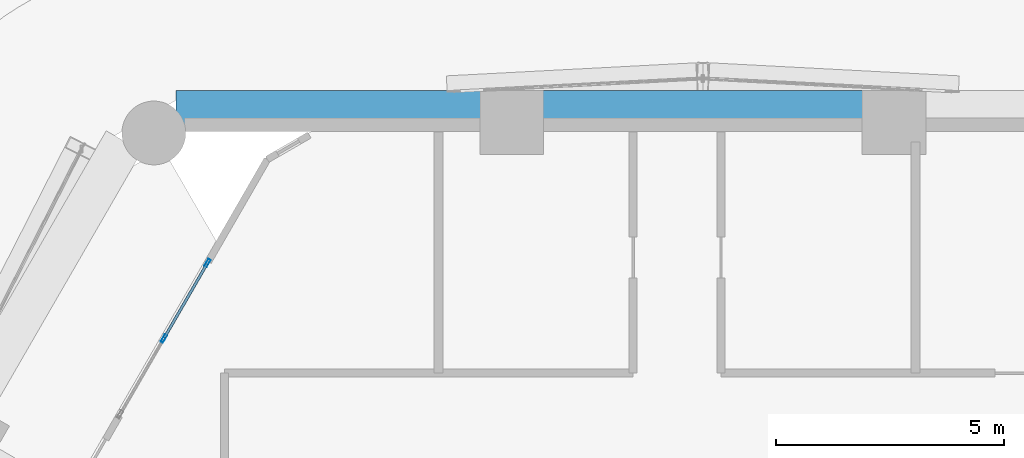
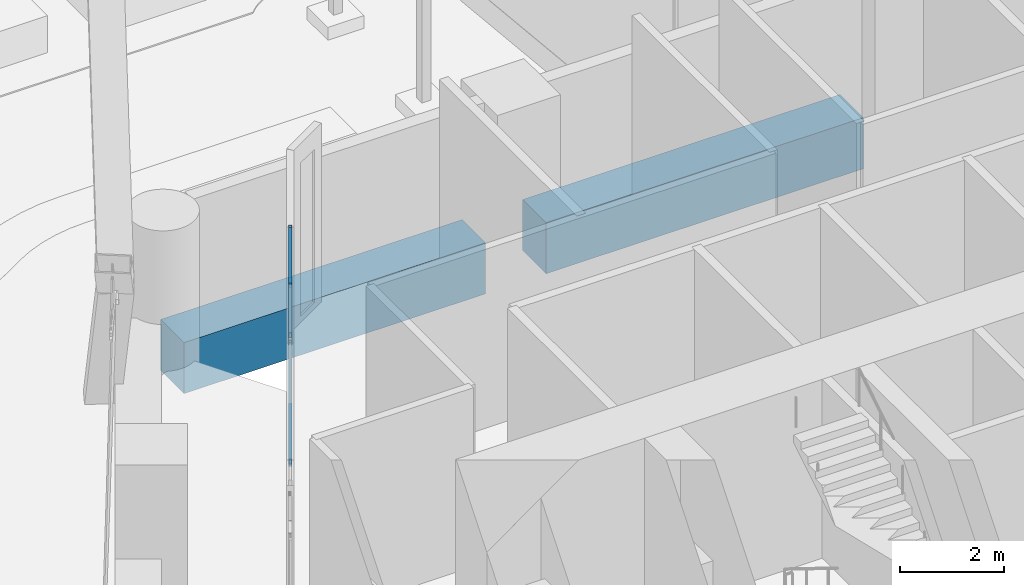
# One storey, part 43 of 71: 5 members, 2 beams, 1 element without a shape of its own.
"""IFC4 building model written with IfcOpenShell, lengths in metres."""

from ifc_helpers import new_model, si_unit, direction, frame, origin, origin_2d, place, context, subcontext, project, spatial, rectangle, hollow_rectangle, extrude, material, material_profile, profile_set, type_object, element, aggregate, save


model = new_model("IFC4")

# Units and contexts
model_context = context("Model", 3, precision=1e-05, world=origin(), true_north=direction((0.0, 1.0)))
body_context = subcontext(model_context, "Body", "Model", "MODEL_VIEW")
ifc_project = project(units=[si_unit("LENGTHUNIT", "METRE"), si_unit("AREAUNIT", "SQUARE_METRE"), si_unit("VOLUMEUNIT", "CUBIC_METRE"), si_unit("PLANEANGLEUNIT", "RADIAN"), si_unit("MASSUNIT", "GRAM", prefix="KILO")], contexts=[model_context])

# Site, building, storey
site_placement = place(None, origin())
site = spatial("IfcSite", under=ifc_project, at=site_placement, CompositionType="ELEMENT")
building_placement = place(site_placement, origin())
building = spatial("IfcBuilding", under=site, at=building_placement, Name="Ostrander Bayou Hotel Tower", CompositionType="ELEMENT")
storey_placement = place(building_placement, frame((0.0, 0.0, 10.0)))
storey = spatial("IfcBuildingStorey", under=building, at=storey_placement, Name="L02", CompositionType="ELEMENT", Elevation=10.0)

# Curtain wall, members
ifc_material_1 = material(Name="Aluminium and clear glass", Category="aluminium")
curtain_wall_type = type_object("IfcCurtainWallType", Name="CW-SKY amenity glass wall", PredefinedType="NOTDEFINED", material=ifc_material_1)
curtain_wall_placement = place(storey_placement, origin())
curtain_wall = element("IfcCurtainWall", 1, at=curtain_wall_placement, inside=storey, type_object=curtain_wall_type, Name="CW-SKY L02 NW 1", PredefinedType="NOTDEFINED")
ifc_material_2 = material(Name="Aluminium", Category="aluminium")
ifc_material_profile_1 = material_profile(ifc_material_2, hollow_rectangle(XDim=0.06005859375, YDim=0.179931640625, WallThickness=0.00390625, at=origin_2d()))
ifc_profile_set_1 = profile_set([ifc_material_profile_1], Name="Aluminium")
member_type_1 = type_object("IfcMemberType", Name="CW-SK mullion 60 x 180 mm", PredefinedType="MULLION", material=ifc_profile_set_1)
member_1_placement = place(storey_placement, frame((-10.87158203125, 18.02001953125, 0.0), z_axis=(0.0, 0.0, 1.0), x_axis=(0.866025463091, -0.499999897278, 0.0)))
member_1 = element("IfcMember", 2, at=member_1_placement, type_object=member_type_1, Name="CW-SKY mullion 1", PredefinedType="MULLION", context=body_context, shape_type="SweptSolid", body=[
    extrude(hollow_rectangle(XDim=0.06005859375, YDim=0.179931640625, WallThickness=0.00390625, at=origin_2d()), origin(), (0.0, 0.0, 1.0), 4.199951171875),
])
member_2_placement = place(storey_placement, frame((-11.83154296875, 16.357177734375, 0.0), z_axis=(0.0, 0.0, 1.0), x_axis=(0.866025463091, -0.499999897278, 0.0)))
member_2 = element("IfcMember", 3, at=member_2_placement, type_object=member_type_1, Name="CW-SKY mullion 2", PredefinedType="MULLION", context=body_context, shape_type="SweptSolid", body=[
    extrude(hollow_rectangle(XDim=0.06005859375, YDim=0.179931640625, WallThickness=0.00390625, at=origin_2d()), origin(), (0.0, 0.0, 1.0), 4.199951171875),
])
ifc_material_3 = material(Name="Aluminium", Category="aluminium")
ifc_material_profile_2 = material_profile(ifc_material_3, hollow_rectangle(XDim=0.06005859375, YDim=0.1201171875, WallThickness=0.00390625, at=origin_2d()))
ifc_profile_set_2 = profile_set([ifc_material_profile_2], Name="Aluminium")
member_type_2 = type_object("IfcMemberType", Name="CW-SK transom 60 x 120 mm", PredefinedType="USERDEFINED", material=ifc_profile_set_2)
member_3_placement = place(storey_placement, frame((-10.886474609375, 17.994140625, 0.030029296875), z_axis=(-0.499964847546, -0.866045698112, 0.0), x_axis=(0.866045698112, -0.499964847546, 0.0)))
member_3 = element("IfcMember", 4, at=member_3_placement, type_object=member_type_2, Name="CW-SKY transom 1.1", ObjectType="TRANSOM", PredefinedType="USERDEFINED", context=body_context, shape_type="SweptSolid", body=[
    extrude(hollow_rectangle(XDim=0.06005859375, YDim=0.1201171875, WallThickness=0.00390625, at=origin_2d()), origin(), (0.0, 0.0, 1.0), 1.860107421875),
])
member_4_placement = place(storey_placement, frame((-10.886474609375, 17.994140625, 3.0), z_axis=(-0.499964847546, -0.866045698112, 0.0), x_axis=(0.866045698112, -0.499964847546, 0.0)))
member_4 = element("IfcMember", 5, at=member_4_placement, type_object=member_type_2, Name="CW-SKY transom 1.2", ObjectType="TRANSOM", PredefinedType="USERDEFINED", context=body_context, shape_type="SweptSolid", body=[
    extrude(hollow_rectangle(XDim=0.06005859375, YDim=0.1201171875, WallThickness=0.00390625, at=origin_2d()), origin(), (0.0, 0.0, 1.0), 1.860107421875),
])
member_5_placement = place(storey_placement, frame((-10.886474609375, 17.994140625, 4.169921875), z_axis=(-0.499964847546, -0.866045698112, 0.0), x_axis=(0.866045698112, -0.499964847546, 0.0)))
member_5 = element("IfcMember", 6, at=member_5_placement, type_object=member_type_2, Name="CW-SKY transom 1.3", ObjectType="TRANSOM", PredefinedType="USERDEFINED", context=body_context, shape_type="SweptSolid", body=[
    extrude(hollow_rectangle(XDim=0.06005859375, YDim=0.1201171875, WallThickness=0.00390625, at=origin_2d()), origin(), (0.0, 0.0, 1.0), 1.860107421875),
])
aggregate(curtain_wall, [member_1, member_2, member_3, member_4, member_5])

# Beams
ifc_material_4 = material(Name="Concrete f'c 70 MPa", Category="concrete")
ifc_material_profile_3 = material_profile(ifc_material_4, rectangle(XDim=0.89990234375, YDim=1.199951171875, at=origin_2d()))
ifc_profile_set_3 = profile_set([ifc_material_profile_3], Name="Concrete f'c 70 MPa")
beam_type = type_object("IfcBeamType", Name="SP1 spandrel beam 900 x 1200 mm f'c 70 MPa", PredefinedType="SPANDREL", material=ifc_profile_set_3)
beam_1_placement = place(storey_placement, frame((3.525390625, 21.35009765625, -0.60009765625), z_axis=(-1.0, 0.0, 0.0), x_axis=(0.0, -1.0, 0.0)))
element("IfcBeam", 7, at=beam_1_placement, inside=storey, type_object=beam_type, Name="SP1 L02 N-2", PredefinedType="SPANDREL", context=body_context, shape_type="SweptSolid", body=[
    extrude(rectangle(XDim=0.89990234375, YDim=1.199951171875, at=origin_2d()), origin(), (0.0, 0.0, 1.0), 7.05078125),
])
beam_2_placement = place(storey_placement, frame((-4.865478515625, 21.35009765625, -0.60009765625), z_axis=(-1.0, 0.0, 0.0), x_axis=(0.0, -1.0, 0.0)))
element("IfcBeam", 8, at=beam_2_placement, inside=storey, type_object=beam_type, Name="SP1 L02 N-3", PredefinedType="SPANDREL", context=body_context, shape_type="SweptSolid", body=[
    extrude(rectangle(XDim=0.89990234375, YDim=1.199951171875, at=origin_2d()), origin(), (0.0, 0.0, 1.0), 6.70361328125),
])

save(model, "model.ifc")
